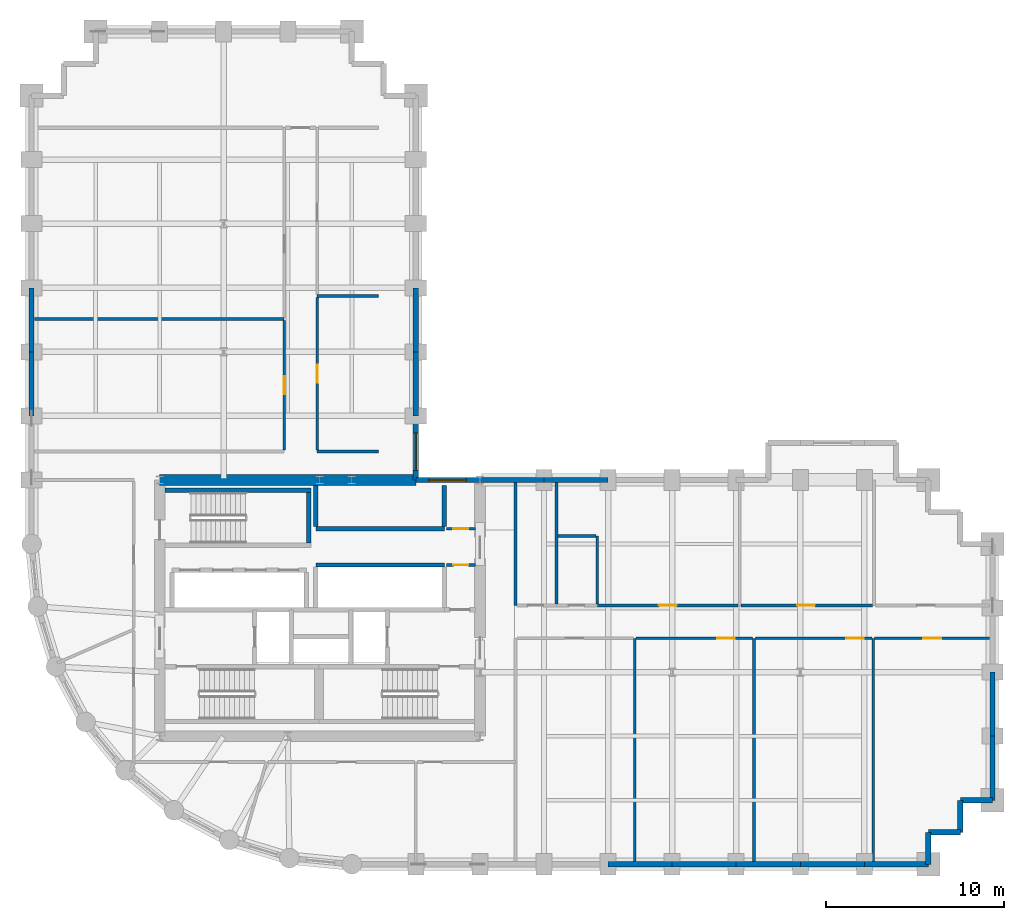
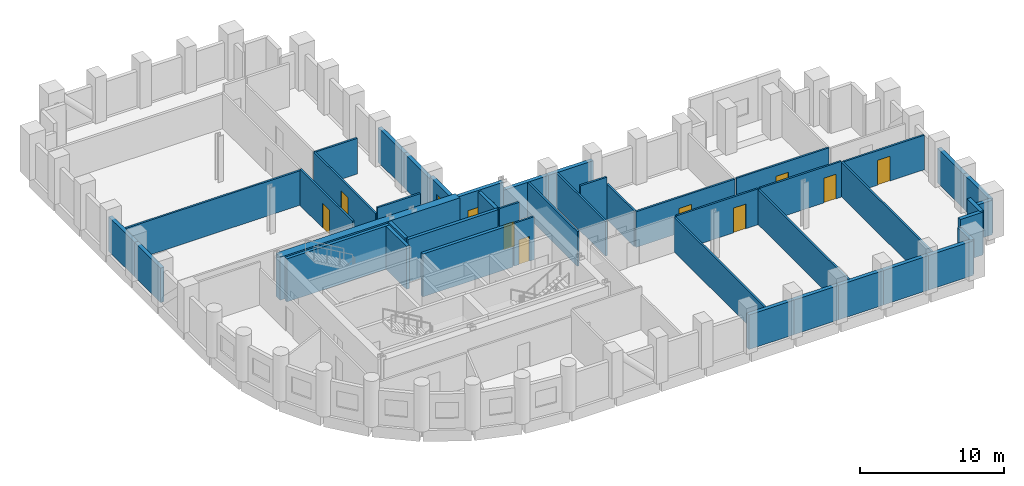
# One storey, part 5 of 8: 45 walls, 9 doors, 2 windows, 11 openings.
"""IFC4 building model written with IfcOpenShell, lengths in metres."""

from ifc_helpers import new_model, si_unit, direction, frame, frame_2d, origin, place, context, subcontext, project, spatial, rectangle, extrude, material, layer, layer_set, type_object, element, fill, save


model = new_model("IFC4")

# Units and contexts
model_context = context("Model", 3, precision=1e-05, world=origin(), true_north=direction((0.0, 1.0)))
body_context = subcontext(model_context, "Body", "Model", "MODEL_VIEW")
ifc_project = project(units=[si_unit("LENGTHUNIT", "METRE"), si_unit("AREAUNIT", "SQUARE_METRE"), si_unit("VOLUMEUNIT", "CUBIC_METRE"), si_unit("PLANEANGLEUNIT", "RADIAN"), si_unit("MASSUNIT", "GRAM", prefix="KILO")], contexts=[model_context])

# Site, building, storey
site_placement = place(None, origin())
site = spatial("IfcSite", under=ifc_project, at=site_placement, CompositionType="ELEMENT")
building_placement = place(site_placement, origin())
building = spatial("IfcBuilding", under=site, at=building_placement, Name="Solnavia Interchange Tower", CompositionType="ELEMENT")
storey_placement = place(building_placement, frame((0.0, 0.0, 43.5)))
storey = spatial("IfcBuildingStorey", under=building, at=storey_placement, Name="L10", CompositionType="ELEMENT", Elevation=43.5)

# Walls
ifc_material_1 = material(Name="Concrete C40/50", Category="concrete")
ifc_layer_1 = layer(ifc_material_1, 0.300048828125)
ifc_layer_set_1 = layer_set([ifc_layer_1], Name="Concrete C40/50")
wall_type_1 = type_object("IfcWallType", Name="Wall-ExtSpandrel-300", PredefinedType="STANDARD", material=ifc_layer_set_1)
wall_1_placement = place(storey_placement, frame((43.199951171875, 3.60009765625, 0.0), z_axis=(0.0, 0.0, 1.0), x_axis=(-1.0, 0.0, 0.0)))
element("IfcWall", 1, at=wall_1_placement, inside=storey, type_object=wall_type_1, Name="EXW-L10-05 Exterior precast spandrel wall", PredefinedType="STANDARD", context=body_context, shape_type="SweptSolid", body=[
    extrude(rectangle(XDim=3.599853515625, YDim=0.300048828125, at=frame_2d((1.7998046875, 0.0))), origin(), (0.0, 0.0, 1.0), 2.929931640625),
])
wall_2_placement = place(storey_placement, frame((46.800048828125, 3.60009765625, 0.0), z_axis=(0.0, 0.0, 1.0), x_axis=(-1.0, 0.0, 0.0)))
element("IfcWall", 2, at=wall_2_placement, inside=storey, type_object=wall_type_1, Name="EXW-L10-06 Exterior precast spandrel wall", PredefinedType="STANDARD", context=body_context, shape_type="SweptSolid", body=[
    extrude(rectangle(XDim=3.60009765625, YDim=0.300048828125, at=frame_2d((1.800048828125, 0.0))), origin(), (0.0, 0.0, 1.0), 2.929931640625),
])
wall_3_placement = place(storey_placement, frame((50.39990234375, 3.60009765625, 0.0), z_axis=(0.0, 0.0, 1.0), x_axis=(-1.0, 0.0, 0.0)))
element("IfcWall", 3, at=wall_3_placement, inside=storey, type_object=wall_type_1, Name="EXW-L10-07 Exterior precast spandrel wall", PredefinedType="STANDARD", context=body_context, shape_type="SweptSolid", body=[
    extrude(rectangle(XDim=3.599853515625, YDim=0.300048828125, at=frame_2d((1.7998046875, 0.0))), origin(), (0.0, 0.0, 1.0), 2.929931640625),
])
for number, where, z_axis, x_axis, name in (
    (4, (54.0, 3.60009765625, 0.0), (0.0, 0.0, 1.0), (-1.0, 0.0, 0.0), "EXW-L10-08 Exterior precast spandrel wall"),
    (5, (57.60009765625, 3.60009765625, 0.0), (0.0, 0.0, 1.0), (-1.0, 0.0, 0.0), "EXW-L10-09 Exterior precast spandrel wall"),
):
    element("IfcWall", number, at=place(storey_placement, frame(where, z_axis=z_axis, x_axis=x_axis)), inside=storey, type_object=wall_type_1, Name=name, PredefinedType="STANDARD", context=body_context, shape_type="SweptSolid", body=[
        extrude(rectangle(XDim=3.60009765625, YDim=0.300048828125, at=frame_2d((1.800048828125, 0.0))), origin(), (0.0, 0.0, 1.0), 2.929931640625),
    ])
wall_4_placement = place(storey_placement, frame((57.60009765625, 5.39990234375, 0.0), z_axis=(0.0, 0.0, 1.0), x_axis=(0.0, -1.0, 0.0)))
element("IfcWall", 6, at=wall_4_placement, inside=storey, type_object=wall_type_1, Name="EXW-L10-10 Exterior precast spandrel wall", PredefinedType="STANDARD", context=body_context, shape_type="SweptSolid", body=[
    extrude(rectangle(XDim=1.7998046875, YDim=0.300048828125, at=frame_2d((0.89990234375, 0.0))), origin(), (0.0, 0.0, 1.0), 2.929931640625),
])
wall_5_placement = place(storey_placement, frame((59.39990234375, 5.39990234375, 0.0), z_axis=(0.0, 0.0, 1.0), x_axis=(-1.0, 0.0, 0.0)))
element("IfcWall", 7, at=wall_5_placement, inside=storey, type_object=wall_type_1, Name="EXW-L10-11 Exterior precast spandrel wall", PredefinedType="STANDARD", context=body_context, shape_type="SweptSolid", body=[
    extrude(rectangle(XDim=1.7998046875, YDim=0.300048828125, at=frame_2d((0.89990234375, 0.0))), origin(), (0.0, 0.0, 1.0), 3.635009765625),
])
wall_6_placement = place(storey_placement, frame((59.39990234375, 7.199951171875, 0.0), z_axis=(0.0, 0.0, 1.0), x_axis=(0.0, -1.0, 0.0)))
element("IfcWall", 8, at=wall_6_placement, inside=storey, type_object=wall_type_1, Name="EXW-L10-12 Exterior precast spandrel wall", PredefinedType="STANDARD", context=body_context, shape_type="SweptSolid", body=[
    extrude(rectangle(XDim=1.800048828125, YDim=0.300048828125, at=frame_2d((0.89990234375, 0.0))), origin(), (0.0, 0.0, 1.0), 3.635009765625),
])
wall_7_placement = place(storey_placement, frame((61.199951171875, 7.199951171875, 0.0), z_axis=(0.0, 0.0, 1.0), x_axis=(-1.0, 0.0, 0.0)))
element("IfcWall", 9, at=wall_7_placement, inside=storey, type_object=wall_type_1, Name="EXW-L10-13 Exterior precast spandrel wall", PredefinedType="STANDARD", context=body_context, shape_type="SweptSolid", body=[
    extrude(rectangle(XDim=1.800048828125, YDim=0.300048828125, at=frame_2d((0.89990234375, 0.0))), origin(), (0.0, 0.0, 1.0), 2.929931640625),
])
wall_8_placement = place(storey_placement, frame((61.199951171875, 10.800048828125, 0.0), z_axis=(0.0, 0.0, 1.0), x_axis=(0.0, -1.0, 0.0)))
element("IfcWall", 10, at=wall_8_placement, inside=storey, type_object=wall_type_1, Name="EXW-L10-14 Exterior precast spandrel wall", PredefinedType="STANDARD", context=body_context, shape_type="SweptSolid", body=[
    extrude(rectangle(XDim=3.60009765625, YDim=0.300048828125, at=frame_2d((1.800048828125, 0.0))), origin(), (0.0, 0.0, 1.0), 2.929931640625),
])
wall_9_placement = place(storey_placement, frame((61.199951171875, 14.39990234375, 0.0), z_axis=(0.0, 0.0, 1.0), x_axis=(0.0, -1.0, 0.0)))
element("IfcWall", 11, at=wall_9_placement, inside=storey, type_object=wall_type_1, Name="EXW-L10-15 Exterior precast spandrel wall", PredefinedType="STANDARD", context=body_context, shape_type="SweptSolid", body=[
    extrude(rectangle(XDim=3.599853515625, YDim=0.300048828125, at=frame_2d((1.7998046875, 0.0))), origin(), (0.0, 0.0, 1.0), 2.929931640625),
])
for number, where, z_axis, x_axis, name in (
    (12, (36.0, 25.199951171875, 0.0), (0.0, 0.0, 1.0), (1.0, 0.0, 0.0), "EXW-L10-31 Exterior precast spandrel wall"),
    (13, (32.39990234375, 25.199951171875, 0.0), (0.0, 0.0, 1.0), (1.0, 0.0, 0.0), "EXW-L10-32 Exterior precast spandrel wall"),
):
    element("IfcWall", number, at=place(storey_placement, frame(where, z_axis=z_axis, x_axis=x_axis)), inside=storey, type_object=wall_type_1, Name=name, PredefinedType="STANDARD", context=body_context, shape_type="SweptSolid", body=[
        extrude(rectangle(XDim=3.60009765625, YDim=0.300048828125, at=frame_2d((1.800048828125, 0.0))), origin(), (0.0, 0.0, 1.0), 2.929931640625),
    ])

# Wall, opening, window
wall_10_placement = place(storey_placement, frame((28.800048828125, 25.199951171875, 0.0), z_axis=(0.0, 0.0, 1.0), x_axis=(1.0, 0.0, 0.0)))
wall_10 = element("IfcWall", 14, at=wall_10_placement, inside=storey, type_object=wall_type_1, Name="EXW-L10-33 Exterior precast spandrel wall", PredefinedType="STANDARD", context=body_context, shape_type="SweptSolid", body=[
    extrude(rectangle(XDim=3.599853515625, YDim=0.300048828125, at=frame_2d((1.7998046875, 0.0))), origin(), (0.0, 0.0, 1.0), 3.635009765625),
])
opening_1_placement = place(wall_10_placement, frame((0.72802734375, 0.0, 0.85009765625)))
opening_1 = element("IfcOpeningElement", 15, at=opening_1_placement, cuts=wall_10, Name="Opening WIN-01", PredefinedType="OPENING", context=body_context, shape_type="SweptSolid", body=[
    extrude(rectangle(XDim=2.10009765625, YDim=1.35009765625, at=frame_2d((1.050048828125, 0.675048828125))), frame((0.0, 0.16015625, 0.0), z_axis=(0.0, -1.0, 0.0), x_axis=(1.0, 0.0, 0.0)), (0.0, 0.0, 1.0), 0.320068359375),
])
ifc_material_2 = material(Name="Thermal-Break Aluminium & Low-E Glass", Category="aluminium")
window_type = type_object("IfcWindowType", Name="Window-Ribbon-2100x1350", PartitioningType="SINGLE_PANEL", PredefinedType="WINDOW", material=ifc_material_2)
window_1_placement = place(opening_1_placement, origin())
window_1 = element("IfcWindow", 16, at=window_1_placement, inside=storey, type_object=window_type, Name="WIN-L10-33 Facade ribbon window", OverallHeight=1.35009765625, OverallWidth=2.10009765625, PartitioningType="SINGLE_PANEL", PredefinedType="WINDOW", context=body_context, shape_type="SweptSolid", body=[
    extrude(rectangle(XDim=2.10009765625, YDim=1.35009765625, at=frame_2d((1.050048828125, 0.675048828125))), frame((0.0, 0.030029296875, 0.0), z_axis=(0.0, -1.0, 0.0), x_axis=(1.0, 0.0, 0.0)), (0.0, 0.0, 1.0), 0.06005859375),
])
fill(opening_1, window_1)

wall_11_placement = place(storey_placement, frame((28.800048828125, 25.199951171875, 0.0), z_axis=(0.0, 0.0, 1.0), x_axis=(0.0, 1.0, 0.0)))
wall_11 = element("IfcWall", 17, at=wall_11_placement, inside=storey, type_object=wall_type_1, Name="EXW-L10-34 Exterior precast spandrel wall", PredefinedType="STANDARD", context=body_context, shape_type="SweptSolid", body=[
    extrude(rectangle(XDim=3.60009765625, YDim=0.300048828125, at=frame_2d((1.800048828125, 0.0))), origin(), (0.0, 0.0, 1.0), 3.139892578125),
])
opening_2_placement = place(wall_11_placement, frame((0.544921875, 0.0, 0.85009765625)))
opening_2 = element("IfcOpeningElement", 18, at=opening_2_placement, cuts=wall_11, Name="Opening WIN-01", PredefinedType="OPENING", context=body_context, shape_type="SweptSolid", body=[
    extrude(rectangle(XDim=2.10009765625, YDim=1.35009765625, at=frame_2d((1.050048828125, 0.675048828125))), frame((0.0, 0.16015625, 0.0), z_axis=(0.0, -1.0, 0.0), x_axis=(1.0, 0.0, 0.0)), (0.0, 0.0, 1.0), 0.320068359375),
])
window_2_placement = place(opening_2_placement, origin())
window_2 = element("IfcWindow", 19, at=window_2_placement, inside=storey, type_object=window_type, Name="WIN-L10-34 Facade ribbon window", OverallHeight=1.35009765625, OverallWidth=2.10009765625, PartitioningType="SINGLE_PANEL", PredefinedType="WINDOW", context=body_context, shape_type="SweptSolid", body=[
    extrude(rectangle(XDim=2.10009765625, YDim=1.35009765625, at=frame_2d((1.050048828125, 0.675048828125))), frame((0.0, 0.030029296875, 0.0), z_axis=(0.0, -1.0, 0.0), x_axis=(1.0, 0.0, 0.0)), (0.0, 0.0, 1.0), 0.06005859375),
])
fill(opening_2, window_2)

# Walls
wall_12_placement = place(storey_placement, frame((28.800048828125, 28.800048828125, 0.0), z_axis=(0.0, 0.0, 1.0), x_axis=(0.0, 1.0, 0.0)))
element("IfcWall", 20, at=wall_12_placement, inside=storey, type_object=wall_type_1, Name="EXW-L10-35 Exterior precast spandrel wall", PredefinedType="STANDARD", context=body_context, shape_type="SweptSolid", body=[
    extrude(rectangle(XDim=3.599853515625, YDim=0.300048828125, at=frame_2d((1.7998046875, 0.0))), origin(), (0.0, 0.0, 1.0), 2.929931640625),
])
for number, where, z_axis, x_axis, name in (
    (21, (28.800048828125, 32.39990234375, 0.0), (0.0, 0.0, 1.0), (0.0, 1.0, 0.0), "EXW-L10-36 Exterior precast spandrel wall"),
    (22, (7.199951171875, 32.39990234375, 0.0), (0.0, 0.0, 1.0), (0.0, 1.0, 0.0), "EXW-L10-55 Exterior precast spandrel wall"),
):
    element("IfcWall", number, at=place(storey_placement, frame(where, z_axis=z_axis, x_axis=x_axis)), inside=storey, type_object=wall_type_1, Name=name, PredefinedType="STANDARD", context=body_context, shape_type="SweptSolid", body=[
        extrude(rectangle(XDim=3.60009765625, YDim=0.300048828125, at=frame_2d((1.800048828125, 0.0))), origin(), (0.0, 0.0, 1.0), 2.929931640625),
    ])
wall_13_placement = place(storey_placement, frame((7.199951171875, 28.800048828125, 0.0), z_axis=(0.0, 0.0, 1.0), x_axis=(0.0, 1.0, 0.0)))
element("IfcWall", 23, at=wall_13_placement, inside=storey, type_object=wall_type_1, Name="EXW-L10-56 Exterior precast spandrel wall", PredefinedType="STANDARD", context=body_context, shape_type="SweptSolid", body=[
    extrude(rectangle(XDim=3.599853515625, YDim=0.300048828125, at=frame_2d((1.7998046875, 0.0))), origin(), (0.0, 0.0, 1.0), 2.929931640625),
])

# Wall, opening, door
ifc_material_3 = material(Name="Gypsum Plasterboard & Steel Stud", Category="steel")
ifc_layer_2 = layer(ifc_material_3, 0.14990234375)
ifc_layer_set_2 = layer_set([ifc_layer_2], Name="Gypsum Plasterboard & Steel Stud")
wall_type_2 = type_object("IfcWallType", Name="Wall-Partition-150", PredefinedType="PARTITIONING", material=ifc_layer_set_2)
wall_14_placement = place(storey_placement, frame((30.52001953125, 22.4599609375, 0.0), z_axis=(0.0, 0.0, 1.0), x_axis=(1.0, 0.0, 0.0)))
wall_14 = element("IfcWall", 24, at=wall_14_placement, inside=storey, type_object=wall_type_2, Name="CSW-L10-NE-S Core shaft wall", PredefinedType="PARTITIONING", context=body_context, shape_type="SweptSolid", body=[
    extrude(rectangle(XDim=1.6298828125, YDim=0.14990234375, at=frame_2d((0.81494140625, 0.0))), origin(), (0.0, 0.0, 1.0), 3.635009765625),
])
opening_3_placement = place(wall_14_placement, frame((0.3798828125, 0.0, 0.0)))
opening_3 = element("IfcOpeningElement", 25, at=opening_3_placement, cuts=wall_14, Name="Opening DR-10", PredefinedType="OPENING", context=body_context, shape_type="SweptSolid", body=[
    extrude(rectangle(XDim=0.85009765625, YDim=2.10009765625, at=frame_2d((0.425048828125, 1.050048828125))), frame((0.0, 0.0849609375, 0.0), z_axis=(0.0, -1.0, 0.0), x_axis=(1.0, 0.0, 0.0)), (0.0, 0.0, 1.0), 0.169921875),
])
ifc_material_4 = material(Name="Moisture-Resistant Timber Door", Category="wood")
door_type_1 = type_object("IfcDoorType", Name="Door-Bathroom-850x2100", OperationType="SINGLE_SWING_RIGHT", PredefinedType="DOOR", material=ifc_material_4)
door_1_placement = place(opening_3_placement, origin())
door_1 = element("IfcDoor", 26, at=door_1_placement, inside=storey, type_object=door_type_1, Name="DR-L10-CNE1 Core fire door", OperationType="SINGLE_SWING_RIGHT", OverallHeight=2.10009765625, OverallWidth=0.85009765625, PredefinedType="DOOR", context=body_context, shape_type="SweptSolid", body=[
    extrude(rectangle(XDim=0.85009765625, YDim=2.10009765625, at=frame_2d((0.425048828125, 1.050048828125))), frame((0.0, 0.02490234375, 0.0), z_axis=(0.0, -1.0, 0.0), x_axis=(1.0, 0.0, 0.0)), (0.0, 0.0, 1.0), 0.050048828125),
])
fill(opening_3, door_1)

wall_15_placement = place(storey_placement, frame((30.52001953125, 20.419921875, 0.0), z_axis=(0.0, 0.0, 1.0), x_axis=(1.0, 0.0, 0.0)))
wall_15 = element("IfcWall", 27, at=wall_15_placement, inside=storey, type_object=wall_type_2, Name="CSW-L10-SE-N Core shaft wall", PredefinedType="PARTITIONING", context=body_context, shape_type="SweptSolid", body=[
    extrude(rectangle(XDim=1.6298828125, YDim=0.14990234375, at=frame_2d((0.81494140625, 0.0))), origin(), (0.0, 0.0, 1.0), 3.635009765625),
])
opening_4_placement = place(wall_15_placement, frame((0.3798828125, 0.0, 0.0)))
opening_4 = element("IfcOpeningElement", 28, at=opening_4_placement, cuts=wall_15, Name="Opening DR-10", PredefinedType="OPENING", context=body_context, shape_type="SweptSolid", body=[
    extrude(rectangle(XDim=0.85009765625, YDim=2.10009765625, at=frame_2d((0.425048828125, 1.050048828125))), frame((0.0, 0.0849609375, 0.0), z_axis=(0.0, -1.0, 0.0), x_axis=(1.0, 0.0, 0.0)), (0.0, 0.0, 1.0), 0.169921875),
])
door_2_placement = place(opening_4_placement, origin())
door_2 = element("IfcDoor", 29, at=door_2_placement, inside=storey, type_object=door_type_1, Name="DR-L10-CSE1 Core fire door", OperationType="SINGLE_SWING_LEFT", OverallHeight=2.10009765625, OverallWidth=0.85009765625, PredefinedType="DOOR", context=body_context, shape_type="SweptSolid", body=[
    extrude(rectangle(XDim=0.85009765625, YDim=2.10009765625, at=frame_2d((0.425048828125, 1.050048828125))), frame((0.0, 0.02490234375, 0.0), z_axis=(0.0, -1.0, 0.0), x_axis=(1.0, 0.0, 0.0)), (0.0, 0.0, 1.0), 0.050048828125),
])
fill(opening_4, door_2)

# Walls
for number, where, z_axis, x_axis, name in (
    (30, (41.10009765625, 3.75390625, 0.0), (0.0, 0.0, 1.0), (0.0, 1.0, 0.0), "PTW-L10-18 Interior partition wall"),
    (31, (47.800048828125, 3.75390625, 0.0), (0.0, 0.0, 1.0), (0.0, 1.0, 0.0), "PTW-L10-20 Interior partition wall"),
):
    element("IfcWall", number, at=place(storey_placement, frame(where, z_axis=z_axis, x_axis=x_axis)), inside=storey, type_object=wall_type_2, Name=name, PredefinedType="PARTITIONING", context=body_context, shape_type="SweptSolid", body=[
        extrude(rectangle(XDim=12.546142578125, YDim=0.14990234375, at=frame_2d((6.27294921875, 0.0))), origin(), (0.0, 0.0, 1.0), 2.929931640625),
    ])

# Wall, opening, door
wall_16_placement = place(storey_placement, frame((41.178955078125, 16.300048828125, 0.0), z_axis=(0.0, 0.0, 1.0), x_axis=(1.0, 0.0, 0.0)))
wall_16 = element("IfcWall", 32, at=wall_16_placement, inside=storey, type_object=wall_type_2, Name="PTW-L10-21 Interior partition wall", PredefinedType="PARTITIONING", context=body_context, shape_type="SweptSolid", body=[
    extrude(rectangle(XDim=6.5419921875, YDim=0.14990234375, at=frame_2d((3.27099609375, 0.0))), origin(), (0.0, 0.0, 1.0), 3.0400390625),
])
opening_5_placement = place(wall_16_placement, frame((4.550048828125, 0.0, 0.0)))
opening_5 = element("IfcOpeningElement", 33, at=opening_5_placement, cuts=wall_16, Name="Opening DR-07", PredefinedType="OPENING", context=body_context, shape_type="SweptSolid", body=[
    extrude(rectangle(XDim=1.0, YDim=2.10009765625, at=frame_2d((0.5, 1.050048828125))), frame((0.0, 0.0849609375, 0.0), z_axis=(0.0, -1.0, 0.0), x_axis=(1.0, 0.0, 0.0)), (0.0, 0.0, 1.0), 0.169921875),
])
ifc_material_5 = material(Name="Timber & Acoustic Glazed Office Door", Category="wood")
door_type_2 = type_object("IfcDoorType", Name="Door-Office-1000x2100", OperationType="SINGLE_SWING_RIGHT", PredefinedType="DOOR", material=ifc_material_5)
door_3_placement = place(opening_5_placement, origin())
door_3 = element("IfcDoor", 34, at=door_3_placement, inside=storey, type_object=door_type_2, Name="DR-L10-09 Interior room door", OperationType="SINGLE_SWING_RIGHT", OverallHeight=2.10009765625, OverallWidth=1.0, PredefinedType="DOOR", context=body_context, shape_type="SweptSolid", body=[
    extrude(rectangle(XDim=1.0, YDim=2.10009765625, at=frame_2d((0.5, 1.050048828125))), frame((0.0, 0.02490234375, 0.0), z_axis=(0.0, -1.0, 0.0), x_axis=(1.0, 0.0, 0.0)), (0.0, 0.0, 1.0), 0.050048828125),
])
fill(opening_5, door_3)

# Wall
wall_17_placement = place(storey_placement, frame((54.5, 3.75390625, 0.0), z_axis=(0.0, 0.0, 1.0), x_axis=(0.0, 1.0, 0.0)))
element("IfcWall", 35, at=wall_17_placement, inside=storey, type_object=wall_type_2, Name="PTW-L10-22 Interior partition wall", PredefinedType="PARTITIONING", context=body_context, shape_type="SweptSolid", body=[
    extrude(rectangle(XDim=12.546142578125, YDim=0.14990234375, at=frame_2d((6.27294921875, 0.0))), origin(), (0.0, 0.0, 1.0), 2.929931640625),
])

# Wall, opening, door
wall_18_placement = place(storey_placement, frame((47.87890625, 16.300048828125, 0.0), z_axis=(0.0, 0.0, 1.0), x_axis=(1.0, 0.0, 0.0)))
wall_18 = element("IfcWall", 36, at=wall_18_placement, inside=storey, type_object=wall_type_2, Name="PTW-L10-23 Interior partition wall", PredefinedType="PARTITIONING", context=body_context, shape_type="SweptSolid", body=[
    extrude(rectangle(XDim=6.5419921875, YDim=0.14990234375, at=frame_2d((3.27099609375, 0.0))), origin(), (0.0, 0.0, 1.0), 3.0400390625),
])
opening_6_placement = place(wall_18_placement, frame((5.10302734375, 0.0, 0.0)))
opening_6 = element("IfcOpeningElement", 37, at=opening_6_placement, cuts=wall_18, Name="Opening DR-07", PredefinedType="OPENING", context=body_context, shape_type="SweptSolid", body=[
    extrude(rectangle(XDim=1.0, YDim=2.10009765625, at=frame_2d((0.5, 1.050048828125))), frame((0.0, 0.0849609375, 0.0), z_axis=(0.0, -1.0, 0.0), x_axis=(1.0, 0.0, 0.0)), (0.0, 0.0, 1.0), 0.169921875),
])
door_4_placement = place(opening_6_placement, origin())
door_4 = element("IfcDoor", 38, at=door_4_placement, inside=storey, type_object=door_type_2, Name="DR-L10-10 Interior room door", OperationType="SINGLE_SWING_LEFT", OverallHeight=2.10009765625, OverallWidth=1.0, PredefinedType="DOOR", context=body_context, shape_type="SweptSolid", body=[
    extrude(rectangle(XDim=1.0, YDim=2.10009765625, at=frame_2d((0.5, 1.050048828125))), frame((0.0, 0.02490234375, 0.0), z_axis=(0.0, -1.0, 0.0), x_axis=(1.0, 0.0, 0.0)), (0.0, 0.0, 1.0), 0.050048828125),
])
fill(opening_6, door_4)

wall_19_placement = place(storey_placement, frame((54.5791015625, 16.300048828125, 0.0), z_axis=(0.0, 0.0, 1.0), x_axis=(1.0, 0.0, 0.0)))
wall_19 = element("IfcWall", 39, at=wall_19_placement, inside=storey, type_object=wall_type_2, Name="PTW-L10-24 Interior partition wall", PredefinedType="PARTITIONING", context=body_context, shape_type="SweptSolid", body=[
    extrude(rectangle(XDim=6.466796875, YDim=0.14990234375, at=frame_2d((3.2333984375, 0.0))), origin(), (0.0, 0.0, 1.0), 2.929931640625),
])
opening_7_placement = place(wall_19_placement, frame((2.73095703125, 0.0, 0.0)))
opening_7 = element("IfcOpeningElement", 40, at=opening_7_placement, cuts=wall_19, Name="Opening DR-07", PredefinedType="OPENING", context=body_context, shape_type="SweptSolid", body=[
    extrude(rectangle(XDim=1.0, YDim=2.10009765625, at=frame_2d((0.5, 1.050048828125))), frame((0.0, 0.0849609375, 0.0), z_axis=(0.0, -1.0, 0.0), x_axis=(1.0, 0.0, 0.0)), (0.0, 0.0, 1.0), 0.169921875),
])
door_5_placement = place(opening_7_placement, origin())
door_5 = element("IfcDoor", 41, at=door_5_placement, inside=storey, type_object=door_type_2, Name="DR-L10-11 Interior room door", OperationType="SINGLE_SWING_RIGHT", OverallHeight=2.10009765625, OverallWidth=1.0, PredefinedType="DOOR", context=body_context, shape_type="SweptSolid", body=[
    extrude(rectangle(XDim=1.0, YDim=2.10009765625, at=frame_2d((0.5, 1.050048828125))), frame((0.0, 0.02490234375, 0.0), z_axis=(0.0, -1.0, 0.0), x_axis=(1.0, 0.0, 0.0)), (0.0, 0.0, 1.0), 0.050048828125),
])
fill(opening_7, door_5)

wall_20_placement = place(storey_placement, frame((39.0, 18.14990234375, 0.0), z_axis=(0.0, 0.0, 1.0), x_axis=(1.0, 0.0, 0.0)))
wall_20 = element("IfcWall", 42, at=wall_20_placement, inside=storey, type_object=wall_type_2, Name="PTW-L10-26 Interior partition wall", PredefinedType="PARTITIONING", context=body_context, shape_type="SweptSolid", body=[
    extrude(rectangle(XDim=7.910888671875, YDim=0.14990234375, at=frame_2d((3.95556640625, 0.0))), origin(), (0.0, 0.0, 1.0), 3.030029296875),
])
opening_8_placement = place(wall_20_placement, frame((3.455078125, 0.0, 0.0)))
opening_8 = element("IfcOpeningElement", 43, at=opening_8_placement, cuts=wall_20, Name="Opening DR-07", PredefinedType="OPENING", context=body_context, shape_type="SweptSolid", body=[
    extrude(rectangle(XDim=1.0, YDim=2.10009765625, at=frame_2d((0.5, 1.050048828125))), frame((0.0, 0.0849609375, 0.0), z_axis=(0.0, -1.0, 0.0), x_axis=(1.0, 0.0, 0.0)), (0.0, 0.0, 1.0), 0.169921875),
])
door_6_placement = place(opening_8_placement, origin())
door_6 = element("IfcDoor", 44, at=door_6_placement, inside=storey, type_object=door_type_2, Name="DR-L10-12 Interior room door", OperationType="SINGLE_SWING_RIGHT", OverallHeight=2.10009765625, OverallWidth=1.0, PredefinedType="DOOR", context=body_context, shape_type="SweptSolid", body=[
    extrude(rectangle(XDim=1.0, YDim=2.10009765625, at=frame_2d((0.5, 1.050048828125))), frame((0.0, 0.02490234375, 0.0), z_axis=(0.0, -1.0, 0.0), x_axis=(1.0, 0.0, 0.0)), (0.0, 0.0, 1.0), 0.050048828125),
])
fill(opening_8, door_6)

wall_21_placement = place(storey_placement, frame((47.069091796875, 18.14990234375, 0.0), z_axis=(0.0, 0.0, 1.0), x_axis=(1.0, 0.0, 0.0)))
wall_21 = element("IfcWall", 45, at=wall_21_placement, inside=storey, type_object=wall_type_2, Name="PTW-L10-28 Interior partition wall", PredefinedType="PARTITIONING", context=body_context, shape_type="SweptSolid", body=[
    extrude(rectangle(XDim=7.391845703125, YDim=0.14990234375, at=frame_2d((3.69580078125, 0.0))), origin(), (0.0, 0.0, 1.0), 3.0400390625),
])
opening_9_placement = place(wall_21_placement, frame((3.156005859375, 0.0, 0.0)))
opening_9 = element("IfcOpeningElement", 46, at=opening_9_placement, cuts=wall_21, Name="Opening DR-07", PredefinedType="OPENING", context=body_context, shape_type="SweptSolid", body=[
    extrude(rectangle(XDim=1.0, YDim=2.10009765625, at=frame_2d((0.5, 1.050048828125))), frame((0.0, 0.0849609375, 0.0), z_axis=(0.0, -1.0, 0.0), x_axis=(1.0, 0.0, 0.0)), (0.0, 0.0, 1.0), 0.169921875),
])
door_7_placement = place(opening_9_placement, origin())
door_7 = element("IfcDoor", 47, at=door_7_placement, inside=storey, type_object=door_type_2, Name="DR-L10-13 Interior room door", OperationType="SINGLE_SWING_RIGHT", OverallHeight=2.10009765625, OverallWidth=1.0, PredefinedType="DOOR", context=body_context, shape_type="SweptSolid", body=[
    extrude(rectangle(XDim=1.0, YDim=2.10009765625, at=frame_2d((0.5, 1.050048828125))), frame((0.0, 0.02490234375, 0.0), z_axis=(0.0, -1.0, 0.0), x_axis=(1.0, 0.0, 0.0)), (0.0, 0.0, 1.0), 0.050048828125),
])
fill(opening_9, door_7)

# Wall
wall_22_placement = place(storey_placement, frame((7.35400390625, 34.25, 0.0), z_axis=(0.0, 0.0, 1.0), x_axis=(1.0, 0.0, 0.0)))
element("IfcWall", 48, at=wall_22_placement, inside=storey, type_object=wall_type_2, Name="PTW-L10-31 Interior partition wall", PredefinedType="PARTITIONING", context=body_context, shape_type="SweptSolid", body=[
    extrude(rectangle(XDim=14.0458984375, YDim=0.14990234375, at=frame_2d((7.02294921875, 0.0))), origin(), (0.0, 0.0, 1.0), 2.929931640625),
])

# Wall, opening, door
wall_23_placement = place(storey_placement, frame((21.39990234375, 26.87890625, 0.0), z_axis=(0.0, 0.0, 1.0), x_axis=(0.0, 1.0, 0.0)))
wall_23 = element("IfcWall", 49, at=wall_23_placement, inside=storey, type_object=wall_type_2, Name="PTW-L10-32 Interior partition wall", PredefinedType="PARTITIONING", context=body_context, shape_type="SweptSolid", body=[
    extrude(rectangle(XDim=7.2919921875, YDim=0.14990234375, at=frame_2d((3.64599609375, 0.0))), origin(), (0.0, 0.0, 1.0), 3.080078125),
])
opening_10_placement = place(wall_23_placement, frame((3.14599609375, 0.0, 0.0)))
opening_10 = element("IfcOpeningElement", 50, at=opening_10_placement, cuts=wall_23, Name="Opening DR-07", PredefinedType="OPENING", context=body_context, shape_type="SweptSolid", body=[
    extrude(rectangle(XDim=1.0, YDim=2.10009765625, at=frame_2d((0.5, 1.050048828125))), frame((0.0, 0.0849609375, 0.0), z_axis=(0.0, -1.0, 0.0), x_axis=(1.0, 0.0, 0.0)), (0.0, 0.0, 1.0), 0.169921875),
])
door_8_placement = place(opening_10_placement, origin())
door_8 = element("IfcDoor", 51, at=door_8_placement, inside=storey, type_object=door_type_2, Name="DR-L10-15 Interior room door", OperationType="SINGLE_SWING_RIGHT", OverallHeight=2.10009765625, OverallWidth=1.0, PredefinedType="DOOR", context=body_context, shape_type="SweptSolid", body=[
    extrude(rectangle(XDim=1.0, YDim=2.10009765625, at=frame_2d((0.5, 1.050048828125))), frame((0.0, 0.02490234375, 0.0), z_axis=(0.0, -1.0, 0.0), x_axis=(1.0, 0.0, 0.0)), (0.0, 0.0, 1.0), 0.050048828125),
])
fill(opening_10, door_8)

# Walls
wall_24_placement = place(storey_placement, frame((23.25, 26.800048828125, 0.0), z_axis=(0.0, 0.0, 1.0), x_axis=(1.0, 0.0, 0.0)))
element("IfcWall", 52, at=wall_24_placement, inside=storey, type_object=wall_type_2, Name="PTW-L10-34 Interior partition wall", PredefinedType="PARTITIONING", context=body_context, shape_type="SweptSolid", body=[
    extrude(rectangle(XDim=3.449951171875, YDim=0.14990234375, at=frame_2d((1.72509765625, 0.0))), origin(), (0.0, 0.0, 1.0), 3.635009765625),
])
wall_25_placement = place(storey_placement, frame((23.25, 35.5400390625, 0.0), z_axis=(0.0, 0.0, 1.0), x_axis=(1.0, 0.0, 0.0)))
element("IfcWall", 53, at=wall_25_placement, inside=storey, type_object=wall_type_2, Name="PTW-L10-35 Interior partition wall", PredefinedType="PARTITIONING", context=body_context, shape_type="SweptSolid", body=[
    extrude(rectangle(XDim=3.449951171875, YDim=0.14990234375, at=frame_2d((1.72509765625, 0.0))), origin(), (0.0, 0.0, 1.0), 3.030029296875),
])

# Wall, opening, door
wall_26_placement = place(storey_placement, frame((23.25, 26.87890625, 0.0), z_axis=(0.0, 0.0, 1.0), x_axis=(0.0, 1.0, 0.0)))
wall_26 = element("IfcWall", 54, at=wall_26_placement, inside=storey, type_object=wall_type_2, Name="PTW-L10-36 Interior partition wall", PredefinedType="PARTITIONING", context=body_context, shape_type="SweptSolid", body=[
    extrude(rectangle(XDim=8.58203125, YDim=0.14990234375, at=frame_2d((4.291015625, 0.0))), origin(), (0.0, 0.0, 1.0), 3.080078125),
])
opening_11_placement = place(wall_26_placement, frame((3.791015625, 0.0, 0.0)))
opening_11 = element("IfcOpeningElement", 55, at=opening_11_placement, cuts=wall_26, Name="Opening DR-07", PredefinedType="OPENING", context=body_context, shape_type="SweptSolid", body=[
    extrude(rectangle(XDim=1.0, YDim=2.10009765625, at=frame_2d((0.5, 1.050048828125))), frame((0.0, 0.0849609375, 0.0), z_axis=(0.0, -1.0, 0.0), x_axis=(1.0, 0.0, 0.0)), (0.0, 0.0, 1.0), 0.169921875),
])
door_9_placement = place(opening_11_placement, origin())
door_9 = element("IfcDoor", 56, at=door_9_placement, inside=storey, type_object=door_type_2, Name="DR-L10-17 Interior room door", OperationType="SINGLE_SWING_LEFT", OverallHeight=2.10009765625, OverallWidth=1.0, PredefinedType="DOOR", context=body_context, shape_type="SweptSolid", body=[
    extrude(rectangle(XDim=1.0, YDim=2.10009765625, at=frame_2d((0.5, 1.050048828125))), frame((0.0, 0.02490234375, 0.0), z_axis=(0.0, -1.0, 0.0), x_axis=(1.0, 0.0, 0.0)), (0.0, 0.0, 1.0), 0.050048828125),
])
fill(opening_11, door_9)

# Walls
ifc_layer_3 = layer(ifc_material_1, 0.25)
ifc_layer_set_3 = layer_set([ifc_layer_3], Name="Concrete C40/50")
wall_type_3 = type_object("IfcWallType", Name="Wall-ShaftCore-250", PredefinedType="SHEAR", material=ifc_layer_set_3)
wall_27_placement = place(storey_placement, frame((14.699951171875, 24.614990234375, 0.0), z_axis=(0.0, 0.0, 1.0), x_axis=(1.0, 0.0, 0.0)))
element("IfcWall", 57, at=wall_27_placement, inside=storey, type_object=wall_type_3, Name="SHW-L10-ST3N Core shear wall", PredefinedType="SHEAR", context=body_context, shape_type="SweptSolid", body=[
    extrude(rectangle(XDim=8.199951171875, YDim=0.25, at=frame_2d((4.10009765625, 0.0))), origin(), (0.0, 0.0, 1.0), 3.64990234375),
])
wall_28_placement = place(storey_placement, frame((22.77490234375, 21.64990234375, 0.0), z_axis=(0.0, 0.0, 1.0), x_axis=(0.0, 1.0, 0.0)))
element("IfcWall", 58, at=wall_28_placement, inside=storey, type_object=wall_type_3, Name="SHW-L10-ST3E Core shear wall", PredefinedType="SHEAR", context=body_context, shape_type="SweptSolid", body=[
    extrude(rectangle(XDim=2.840087890625, YDim=0.25, at=frame_2d((1.419921875, 0.0))), origin(), (0.0, 0.0, 1.0), 3.64990234375),
])
ifc_layer_4 = layer(ifc_material_1, 0.25)
ifc_layer_set_4 = layer_set([ifc_layer_4], Name="Concrete C40/50")
wall_type_4 = type_object("IfcWallType", Name="Wall-ShaftPart-250", PredefinedType="PARTITIONING", material=ifc_layer_set_4)
for number, where, z_axis, x_axis, name in (
    (59, (23.179931640625, 20.419921875, 0.0), (0.0, 0.0, 1.0), (1.0, 0.0, 0.0), "SHW-L10-B2N Core shaft wall"),
    (60, (23.179931640625, 22.4599609375, 0.0), (0.0, 0.0, 1.0), (1.0, 0.0, 0.0), "SHW-L10-B3S Core shaft wall"),
):
    element("IfcWall", number, at=place(storey_placement, frame(where, z_axis=z_axis, x_axis=x_axis)), inside=storey, type_object=wall_type_4, Name=name, PredefinedType="PARTITIONING", context=body_context, shape_type="SweptSolid", body=[
        extrude(rectangle(XDim=7.219970703125, YDim=0.25, at=frame_2d((3.60986328125, 0.0))), origin(), (0.0, 0.0, 1.0), 3.635009765625),
    ])
for number, where, z_axis, x_axis, name in (
    (61, (23.179931640625, 22.5849609375, 0.0), (0.0, 0.0, 1.0), (0.0, 1.0, 0.0), "SHW-L10-B3W Core shaft wall"),
    (62, (30.39990234375, 22.5849609375, 0.0), (0.0, 0.0, 1.0), (0.0, 1.0, 0.0), "SHW-L10-B3E Core shaft wall"),
):
    element("IfcWall", number, at=place(storey_placement, frame(where, z_axis=z_axis, x_axis=x_axis)), inside=storey, type_object=wall_type_4, Name=name, PredefinedType="PARTITIONING", context=body_context, shape_type="SweptSolid", body=[
        extrude(rectangle(XDim=2.31494140625, YDim=0.25, at=frame_2d((1.157470703125, 0.0))), origin(), (0.0, 0.0, 1.0), 3.635009765625),
    ])
ifc_material_6 = material(Name="Concrete C60/75", Category="concrete")
ifc_layer_5 = layer(ifc_material_6, 0.60009765625)
ifc_layer_set_5 = layer_set([ifc_layer_5], Name="Concrete C60/75")
wall_type_5 = type_object("IfcWallType", Name="Wall-ShearCore-600", PredefinedType="SHEAR", material=ifc_layer_set_5)
wall_29_placement = place(storey_placement, frame((14.39990234375, 25.199951171875, 0.0), z_axis=(0.0, 0.0, 1.0), x_axis=(1.0, 0.0, 0.0)))
element("IfcWall", 63, at=wall_29_placement, inside=storey, type_object=wall_type_5, Name="CRW-L10-N Core shear wall", PredefinedType="SHEAR", context=body_context, shape_type="SweptSolid", body=[
    extrude(rectangle(XDim=14.400146484375, YDim=0.60009765625, at=frame_2d((7.2001953125, 0.0))), origin(), (0.0, 0.0, 1.0), 3.64990234375),
])
ifc_material_7 = material(Name="Moisture-Resistant Gypsum & Steel Stud", Category="steel")
ifc_layer_6 = layer(ifc_material_7, 0.14990234375)
ifc_layer_set_6 = layer_set([ifc_layer_6], Name="Moisture-Resistant Gypsum & Steel Stud")
wall_type_6 = type_object("IfcWallType", Name="Wall-WetRoom-150", PredefinedType="PARTITIONING", material=ifc_layer_set_6)
wall_30_placement = place(storey_placement, frame((34.39990234375, 18.14990234375, 0.0), z_axis=(0.0, 0.0, 1.0), x_axis=(0.0, 1.0, 0.0)))
element("IfcWall", 64, at=wall_30_placement, inside=storey, type_object=wall_type_6, Name="PTW-L10-01 Interior partition wall", PredefinedType="PARTITIONING", context=body_context, shape_type="SweptSolid", body=[
    extrude(rectangle(XDim=6.89599609375, YDim=0.14990234375, at=frame_2d((3.447998046875, 0.0))), origin(), (0.0, 0.0, 1.0), 2.929931640625),
])
wall_31_placement = place(storey_placement, frame((36.699951171875, 18.22900390625, 0.0), z_axis=(0.0, 0.0, 1.0), x_axis=(0.0, 1.0, 0.0)))
element("IfcWall", 65, at=wall_31_placement, inside=storey, type_object=wall_type_6, Name="PTW-L10-03 Interior partition wall", PredefinedType="PARTITIONING", context=body_context, shape_type="SweptSolid", body=[
    extrude(rectangle(XDim=6.81689453125, YDim=0.14990234375, at=frame_2d((3.408447265625, 0.0))), origin(), (0.0, 0.0, 1.0), 2.929931640625),
])
wall_32_placement = place(storey_placement, frame((39.0, 18.22900390625, 0.0), z_axis=(0.0, 0.0, 1.0), x_axis=(0.0, 1.0, 0.0)))
element("IfcWall", 66, at=wall_32_placement, inside=storey, type_object=wall_type_6, Name="PTW-L10-05 Interior partition wall", PredefinedType="PARTITIONING", context=body_context, shape_type="SweptSolid", body=[
    extrude(rectangle(XDim=3.821044921875, YDim=0.14990234375, at=frame_2d((1.91064453125, 0.0))), origin(), (0.0, 0.0, 1.0), 3.030029296875),
])
wall_33_placement = place(storey_placement, frame((36.779052734375, 22.050048828125, 0.0), z_axis=(0.0, 0.0, 1.0), x_axis=(1.0, 0.0, 0.0)))
element("IfcWall", 67, at=wall_33_placement, inside=storey, type_object=wall_type_6, Name="PTW-L10-06 Interior partition wall", PredefinedType="PARTITIONING", context=body_context, shape_type="SweptSolid", body=[
    extrude(rectangle(XDim=2.141845703125, YDim=0.14990234375, at=frame_2d((1.07080078125, 0.0))), origin(), (0.0, 0.0, 1.0), 3.635009765625),
])

save(model, "model.ifc")
